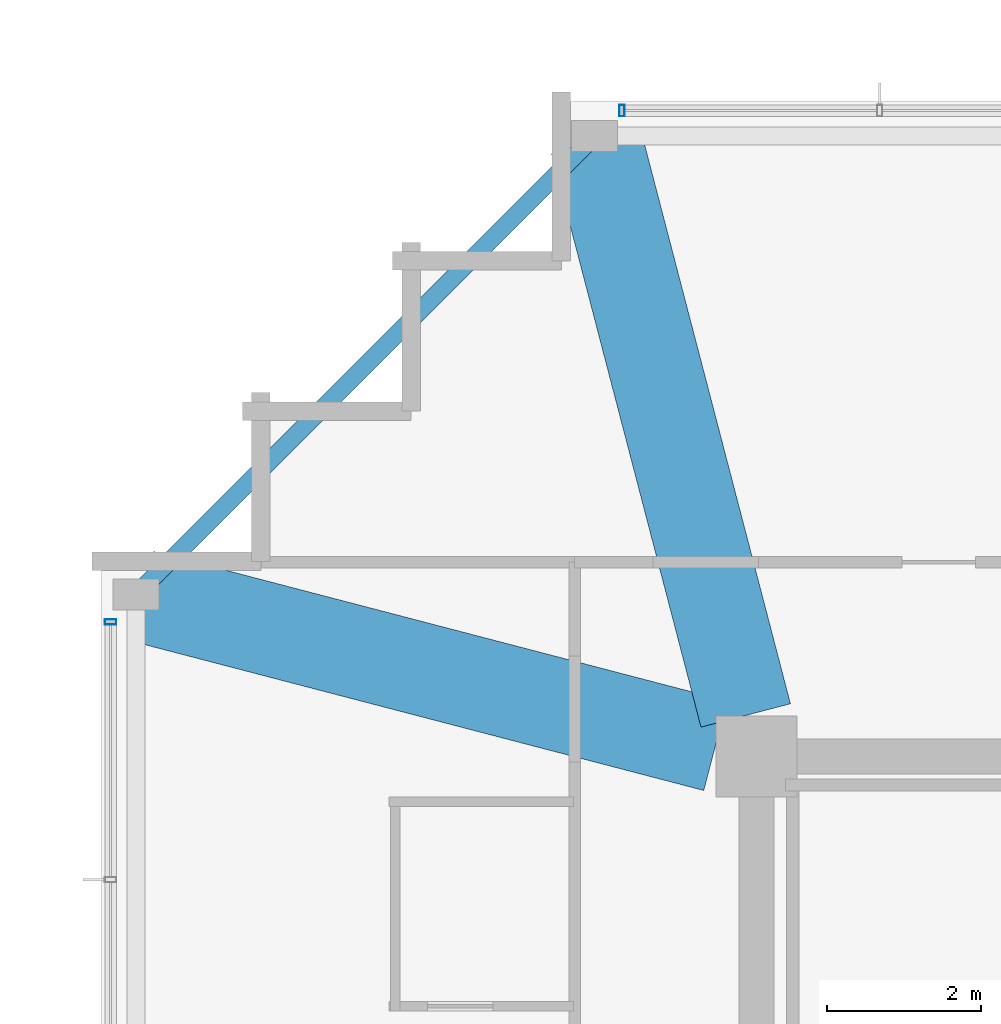
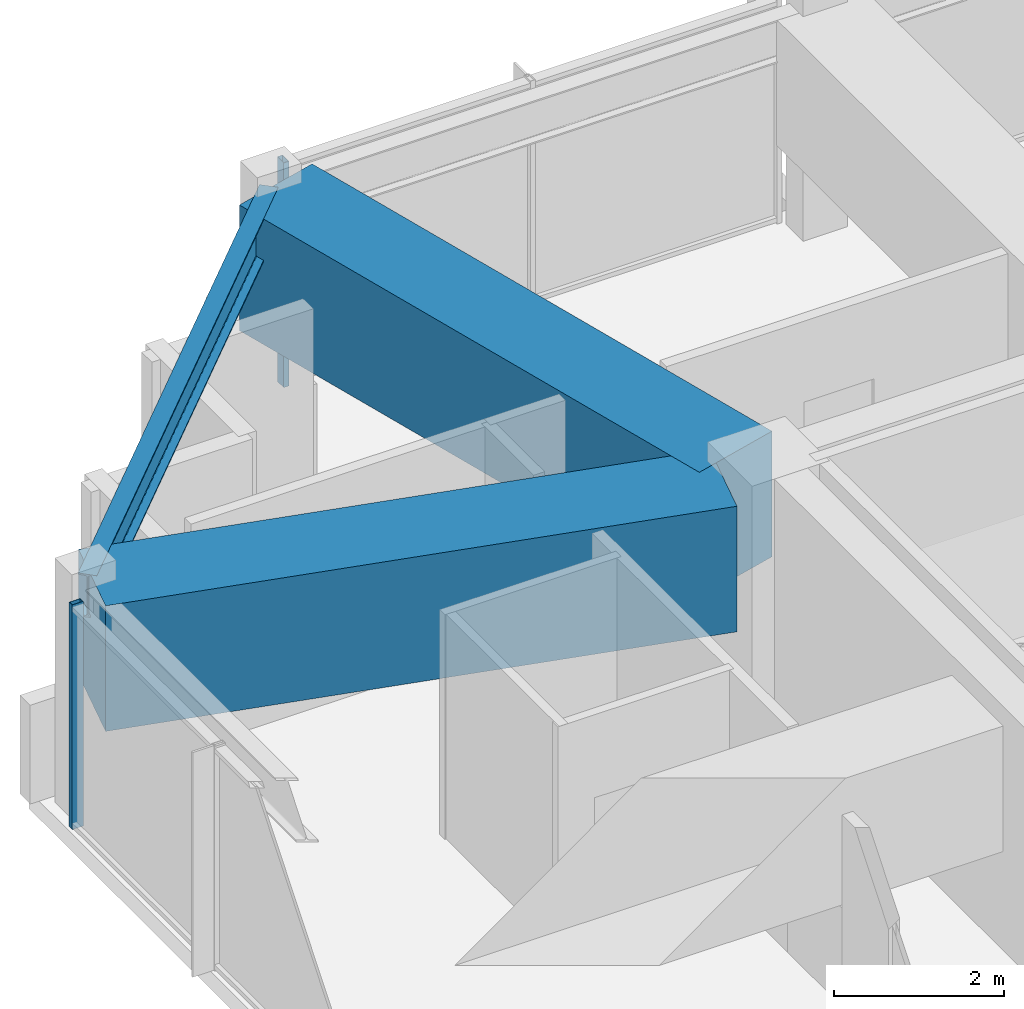
# One storey, part 14 of 30: 3 beams, 2 members, 2 elements without a shape of their own.
"""IFC4 building model written with IfcOpenShell, lengths in metres."""

import ifcopenshell
import ifcopenshell.guid

model = None  # the IFC model being written
_history = None  # IfcOwnerHistory: only IFC2X3 demands one
_inside = {}  # id of a spatial element -> (the spatial element, [elements in it])
_under = {}  # id of a project, library or spatial element -> (it, [spatial elements below it])
_declared = {}  # id of a project -> (the project, [libraries it declares])
_typed = {}  # id of a type object -> (the type object, [elements of that type])
_made_of = {}  # id of a material, layer set ... -> (it, [elements and type objects made of it])


def new_model(schema):
    """Start an empty IFC model of exactly this schema.

    Asked for "IFC4X3", IfcOpenShell would pick the latest addendum, in which some entities
    have other attributes; the version numbers below select the first issue.
    IFC2X3 requires an IfcOwnerHistory on every rooted entity: one is made here for all.
    """
    global model, _history
    if schema == "IFC4X3":
        model = ifcopenshell.file(schema_version=(4, 3, 0, 0))
    else:
        model = ifcopenshell.file(schema=schema)
    _inside.clear()
    _under.clear()
    _declared.clear()
    _typed.clear()
    _made_of.clear()
    _history = None
    if model.schema == "IFC2X3":
        org = make("IfcOrganization", Name="unknown")
        user = make(
            "IfcPersonAndOrganization",
            ThePerson=make("IfcPerson", FamilyName="unknown"),
            TheOrganization=org,
        )
        app = make(
            "IfcApplication",
            ApplicationDeveloper=org,
            Version="unknown",
            ApplicationFullName="unknown",
            ApplicationIdentifier="unknown",
        )
        _history = make(
            "IfcOwnerHistory",
            OwningUser=user,
            OwningApplication=app,
            ChangeAction="ADDED",
            CreationDate=0,
        )
    return model


def make(cls, **values):
    """One entity of the class cls with the attributes given. An attribute that is None is left unset."""
    return model.create_entity(
        cls, **{name: value for name, value in values.items() if value is not None}
    )


def rooted(cls, **values):
    """An entity with a GlobalId (a new one), such as an element, a storey or a relation."""
    return make(cls, GlobalId=ifcopenshell.guid.new(), OwnerHistory=_history, **values)


def si_unit(unit_type, name, prefix=None):
    """IfcSIUnit, for example si_unit("LENGTHUNIT", "METRE", prefix="MILLI")."""
    return make("IfcSIUnit", UnitType=unit_type, Prefix=prefix, Name=name)


def assignment(units):
    """IfcUnitAssignment: the units of a project."""
    return None if units is None else make("IfcUnitAssignment", Units=units)


def point(xyz):
    """IfcCartesianPoint."""
    return None if xyz is None else make("IfcCartesianPoint", Coordinates=xyz)


def direction(xyz):
    """IfcDirection."""
    return None if xyz is None else make("IfcDirection", DirectionRatios=xyz)


def frame(location, z_axis=None, x_axis=None):
    """IfcAxis2Placement3D, a coordinate frame: its origin and axes. An axis left out is left unset."""
    return make(
        "IfcAxis2Placement3D",
        Location=point(location),
        Axis=direction(z_axis),
        RefDirection=direction(x_axis),
    )


def frame_2d(location, x_axis=None):
    """IfcAxis2Placement2D, a coordinate frame in the plane: its origin and x axis."""
    return make(
        "IfcAxis2Placement2D", Location=point(location), RefDirection=direction(x_axis)
    )


def origin():
    """The frame at (0, 0, 0) with its axes left unset."""
    return frame((0.0, 0.0, 0.0))


def origin_2d():
    """The frame at (0, 0) in the plane with its x axis left unset."""
    return frame_2d((0.0, 0.0))


def place(relative_to, where):
    """IfcLocalPlacement: puts the frame where relative to a parent placement (None: the world)."""
    return make(
        "IfcLocalPlacement", PlacementRelTo=relative_to, RelativePlacement=where
    )


def context(
    kind, dimensions, precision=None, world=None, true_north=None, identifier=None
):
    """IfcGeometricRepresentationContext, for example the 3D "Model" context."""
    return make(
        "IfcGeometricRepresentationContext",
        ContextIdentifier=identifier,
        ContextType=kind,
        CoordinateSpaceDimension=dimensions,
        Precision=precision,
        WorldCoordinateSystem=world,
        TrueNorth=true_north,
    )


def subcontext(parent, identifier, kind, view, scale=None):
    """IfcGeometricRepresentationSubContext, for example "Body" below "Model"."""
    return make(
        "IfcGeometricRepresentationSubContext",
        ContextIdentifier=identifier,
        ContextType=kind,
        ParentContext=parent,
        TargetScale=scale,
        TargetView=view,
    )


def project(units=None, contexts=None):
    """IfcProject with its units and contexts."""
    return rooted(
        "IfcProject",
        Name="project",
        RepresentationContexts=contexts,
        UnitsInContext=assignment(units),
    )


def spatial(cls, under=None, at=None, **own):
    """A site, building, storey or space (cls), placed at a placement, below another one or the project."""
    s = rooted(cls, ObjectPlacement=at, **own)
    if under is not None:
        _under.setdefault(under.id(), (under, []))[1].append(s)
    return s


def profile(cls, at=None, kind="AREA", **sizes):
    """A parametric profile (cls). Its sizes go by their IFC names, for example OverallWidth=200.0."""
    return make(cls, ProfileType=kind, Position=at, **sizes)


def rectangle(**sizes):
    """IfcRectangleProfileDef."""
    return profile("IfcRectangleProfileDef", **sizes)


def hollow_rectangle(**sizes):
    """IfcRectangleHollowProfileDef."""
    return profile("IfcRectangleHollowProfileDef", **sizes)


def i_section(**sizes):
    """IfcIShapeProfileDef."""
    return profile("IfcIShapeProfileDef", **sizes)


def extrude(swept, where, along, depth):
    """IfcExtrudedAreaSolid: the profile swept, set in the frame where, extruded along a direction by depth."""
    return make(
        "IfcExtrudedAreaSolid",
        SweptArea=swept,
        Position=where,
        ExtrudedDirection=direction(along),
        Depth=depth,
    )


def shape(context_of_items, identifier, shape_type, items):
    """IfcShapeRepresentation: the items that make up one representation, for example the "Body"."""
    return make(
        "IfcShapeRepresentation",
        ContextOfItems=context_of_items,
        RepresentationIdentifier=identifier,
        RepresentationType=shape_type,
        Items=items,
    )


def material(Name=None, Category=None):
    """IfcMaterial."""
    return make("IfcMaterial", Name=Name, Category=Category)


def material_profile(
    of_material, cross_section, Name=None, Category=None, Priority=None
):
    """IfcMaterialProfile: a cross section and its material."""
    return make(
        "IfcMaterialProfile",
        Name=Name,
        Material=of_material,
        Profile=cross_section,
        Priority=Priority,
        Category=Category,
    )


def profile_set(profiles, Name=None, composite=None):
    """IfcMaterialProfileSet."""
    return make(
        "IfcMaterialProfileSet",
        Name=Name,
        MaterialProfiles=profiles,
        CompositeProfile=composite,
    )


def made_of(thing, what):
    """Note that an element or type object is made of a material, layer set ...; save() writes the relation."""
    if what is not None:
        _made_of.setdefault(what.id(), (what, []))[1].append(thing)
    return thing


def type_object(cls, material=None, **own):
    """A type object (cls), such as IfcWallType, which elements share."""
    return made_of(rooted(cls, **own), material)


def element(
    cls,
    number,
    at=None,
    inside=None,
    cuts=None,
    type_object=None,
    material=None,
    context=None,
    identifier="Body",
    shape_type=None,
    held_by="IfcProductDefinitionShape",
    body=None,
    shapes=None,
    **own,
):
    """One element of the class cls, such as IfcWall. Its Tag is "e" and its number.

    at: its placement. inside: the storey or other place that contains it. cuts: it is an
    opening in that element (IfcRelVoidsElement). A single representation is given by context,
    identifier, shape_type and body (its items); several are given by shapes. held_by: the class
    of the entity that holds the representations. save() writes the other relations.
    """
    e = rooted(cls, Tag="e%d" % number, ObjectPlacement=at, **own)
    if body is not None:
        shapes = [shape(context, identifier, shape_type, body)]
    if shapes is not None:
        e.Representation = make(held_by, Representations=shapes)
    if inside is not None:
        _inside.setdefault(inside.id(), (inside, []))[1].append(e)
    if cuts is not None:
        rooted(
            "IfcRelVoidsElement", RelatingBuildingElement=cuts, RelatedOpeningElement=e
        )
    if type_object is not None:
        _typed.setdefault(type_object.id(), (type_object, []))[1].append(e)
    return made_of(e, material)


def aggregate(whole, parts):
    """IfcRelAggregates: a whole, such as a stair, and the parts it consists of."""
    return rooted("IfcRelAggregates", RelatingObject=whole, RelatedObjects=parts)


def save(model, path):
    """Write the relations noted so far, then the file.

    IfcRelAggregates (storeys below a building ...), IfcRelContainedInSpatialStructure (elements
    in a storey), IfcRelDefinesByType, IfcRelAssociatesMaterial and IfcRelDeclares: one each for
    every whole, place, type object, material and project.
    """
    for whole, parts in _under.values():
        aggregate(whole, parts)
    for where, things in _inside.values():
        rooted(
            "IfcRelContainedInSpatialStructure",
            RelatedElements=things,
            RelatingStructure=where,
        )
    for kind, things in _typed.values():
        rooted("IfcRelDefinesByType", RelatedObjects=things, RelatingType=kind)
    for what, things in _made_of.values():
        rooted("IfcRelAssociatesMaterial", RelatedObjects=things, RelatingMaterial=what)
    for by, libraries in _declared.values():
        rooted("IfcRelDeclares", RelatingContext=by, RelatedDefinitions=libraries)
    model.write(path)


model = new_model("IFC4")

# Units and contexts
model_context = context("Model", 3, precision=1e-05, world=origin(), true_north=direction((0.0, 1.0)))
body_context = subcontext(model_context, "Body", "Model", "MODEL_VIEW")
ifc_project = project(units=[si_unit("LENGTHUNIT", "METRE"), si_unit("AREAUNIT", "SQUARE_METRE"), si_unit("VOLUMEUNIT", "CUBIC_METRE"), si_unit("PLANEANGLEUNIT", "RADIAN"), si_unit("MASSUNIT", "GRAM", prefix="KILO")], contexts=[model_context])

# Site, building, storey
site_placement = place(None, origin())
site = spatial("IfcSite", under=ifc_project, at=site_placement, CompositionType="ELEMENT")
building_placement = place(site_placement, origin())
building = spatial("IfcBuilding", under=site, at=building_placement, Name="Kolvaren Belvedere", CompositionType="ELEMENT")
storey_placement = place(building_placement, frame((0.0, 0.0, 254.89990234375)))
storey = spatial("IfcBuildingStorey", under=building, at=storey_placement, Name="L74", CompositionType="ELEMENT", Elevation=254.89990234375)

# Beams
ifc_material_1 = material(Name="Structural steel ASTM A992 Grade 50", Category="steel")
ifc_material_profile_1 = material_profile(ifc_material_1, i_section(OverallWidth=0.22900390625, OverallDepth=0.612060546875, WebThickness=0.011962890625, FlangeThickness=0.01953125, FilletRadius=0.01806640625, at=origin_2d()), Name="W24X84")
ifc_profile_set_1 = profile_set([ifc_material_profile_1], Name="Structural steel ASTM A992 Grade 50")
beam_type_1 = type_object("IfcBeamType", Name="BM-SPAN-W24X84", PredefinedType="SPANDREL", material=ifc_profile_set_1)
beam_placement = place(storey_placement, frame((-12.063720703125, 17.886474609375, 2.9140625), z_axis=(-0.707106781187, -0.707106781187, 0.0), x_axis=(0.707106781187, -0.707106781187, 0.0)))
element("IfcBeam", 1, at=beam_placement, inside=storey, type_object=beam_type_1, Name="L74 Perimeter Spandrel N1-W4", PredefinedType="SPANDREL", context=body_context, shape_type="SweptSolid", body=[
    extrude(i_section(OverallWidth=0.22900390625, OverallDepth=0.612060546875, WebThickness=0.011962890625, FlangeThickness=0.01953125, FilletRadius=0.01806640625, at=origin_2d()), origin(), (0.0, 0.0, 1.0), 8.234619140625),
])
ifc_material_2 = material(Name="Concrete C50/60", Category="concrete")
ifc_material_profile_2 = material_profile(ifc_material_2, rectangle(XDim=1.199951171875, YDim=1.800048828125, at=origin_2d()), Name="RC 1200X1800")
ifc_profile_set_2 = profile_set([ifc_material_profile_2], Name="Concrete C50/60")
beam_type_2 = type_object("IfcBeamType", Name="BM-TG-1800", PredefinedType="BEAM", material=ifc_profile_set_2)
for number, where, z_axis, x_axis, name in (
    (2, (-10.038818359375, 10.43212890625, 2.320068359375), (-0.252414142221, 0.967619295388, 0.0), (-0.967619295388, -0.252414142221, 0.0), "L74 Corner Core-to-Perimeter Girder CC4-N1"),
    (3, (-10.43212890625, 10.038818359375, 2.320068359375), (-0.967619295388, 0.252414142221, 0.0), (-0.252414142221, -0.967619295388, 0.0), "L74 Corner Core-to-Perimeter Girder CC4-W4"),
):
    element("IfcBeam", number, at=place(storey_placement, frame(where, z_axis=z_axis, x_axis=x_axis)), inside=storey, type_object=beam_type_2, Name=name, PredefinedType="BEAM", context=body_context, shape_type="SweptSolid", body=[
        extrude(rectangle(XDim=1.199951171875, YDim=1.800048828125, at=origin_2d()), origin(), (0.0, 0.0, 1.0), 7.689453125),
    ])

# Curtain wall, member
ifc_material_3 = material(Name="Anodised pale-metal aluminium AA 6063-T6", Category="aluminium")
curtain_wall_type = type_object("IfcCurtainWallType", Name="CW-Z5-HIGH", PredefinedType="NOTDEFINED", material=ifc_material_3)
curtain_wall_1_placement = place(storey_placement, origin())
curtain_wall_1 = element("IfcCurtainWall", 4, at=curtain_wall_1_placement, inside=storey, type_object=curtain_wall_type, Name="L74 Unitised Curtain Wall FCW-L74-N-B1", PredefinedType="NOTDEFINED")
ifc_material_4 = material(Name="Anodised pale-metal aluminium AA 6063-T6", Category="aluminium")
ifc_material_profile_3 = material_profile(ifc_material_4, hollow_rectangle(XDim=0.070068359375, YDim=0.14990234375, WallThickness=0.004150390625, at=origin_2d()), Name="ALU-MUL-150X70")
ifc_profile_set_3 = profile_set([ifc_material_profile_3], Name="Anodised pale-metal aluminium AA 6063-T6")
member_type = type_object("IfcMemberType", Name="CW-MUL-150", PredefinedType="MULLION", material=ifc_profile_set_3)
member_1_placement = place(storey_placement, frame((-11.64501953125, 18.280029296875, 0.0), z_axis=(0.0, 0.0, 1.0), x_axis=(1.0, 0.0, 0.0)))
member_1 = element("IfcMember", 5, at=member_1_placement, type_object=member_type, Name="FCW-L74-N-B1 Unitised Mullion 1", PredefinedType="MULLION", context=body_context, shape_type="SweptSolid", body=[
    extrude(hollow_rectangle(XDim=0.070068359375, YDim=0.14990234375, WallThickness=0.004150390625, at=origin_2d()), origin(), (0.0, 0.0, 1.0), 3.22021484375),
])
aggregate(curtain_wall_1, [member_1])

curtain_wall_2_placement = place(storey_placement, origin())
curtain_wall_2 = element("IfcCurtainWall", 6, at=curtain_wall_2_placement, inside=storey, type_object=curtain_wall_type, Name="L74 Unitised Curtain Wall FCW-L74-W-B3", PredefinedType="NOTDEFINED")
member_2_placement = place(storey_placement, frame((-18.280029296875, 11.64501953125, 0.0), z_axis=(0.0, 0.0, 1.0), x_axis=(0.0, 1.0, 0.0)))
member_2 = element("IfcMember", 7, at=member_2_placement, type_object=member_type, Name="FCW-L74-W-B3 Unitised Mullion 3", PredefinedType="MULLION", context=body_context, shape_type="SweptSolid", body=[
    extrude(hollow_rectangle(XDim=0.070068359375, YDim=0.14990234375, WallThickness=0.004150390625, at=origin_2d()), origin(), (0.0, 0.0, 1.0), 3.22021484375),
])
aggregate(curtain_wall_2, [member_2])

save(model, "model.ifc")
